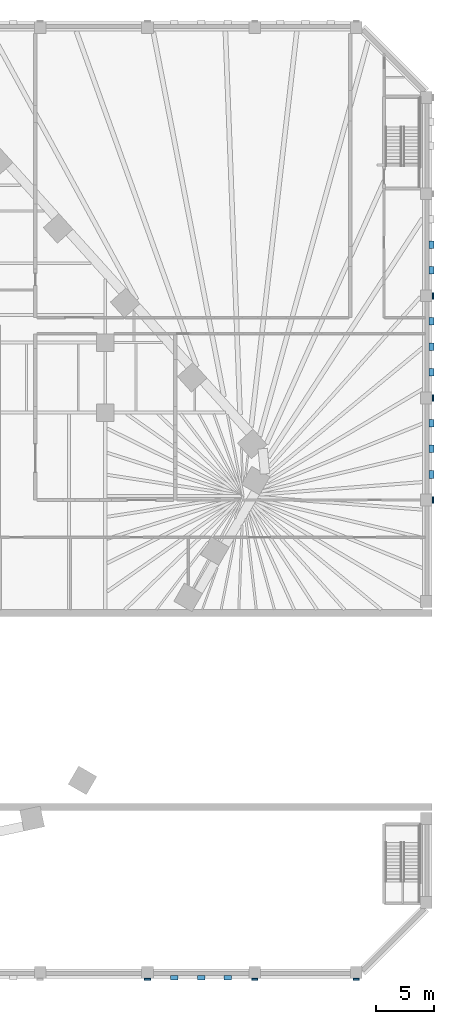
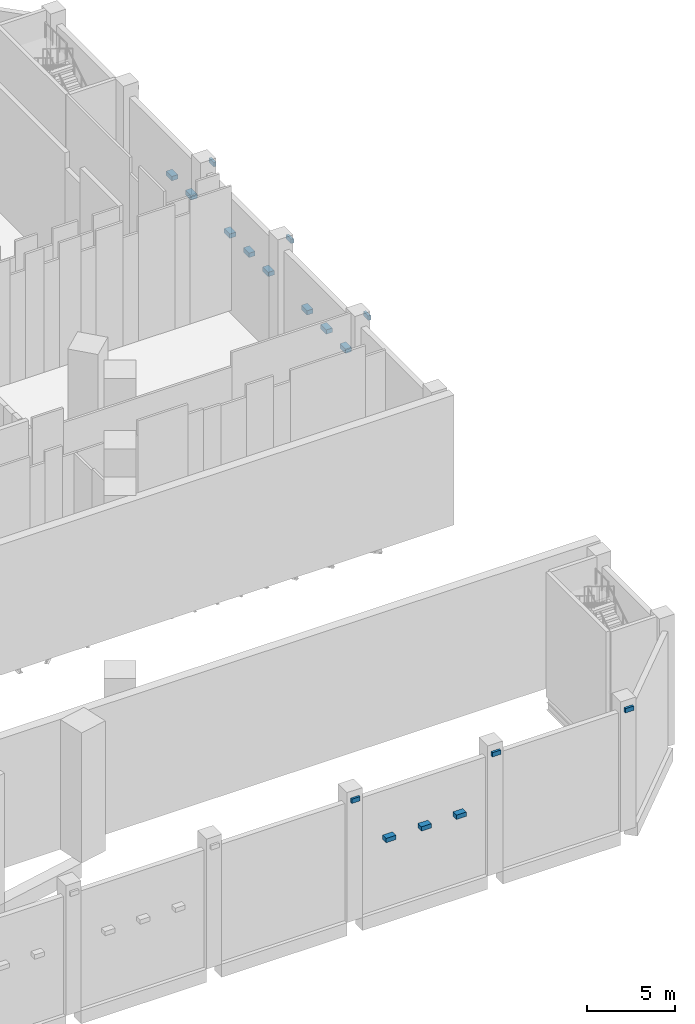
# One storey, part 16 of 23: 17 discrete accessories.
"""IFC4 building model written with IfcOpenShell, lengths in metres."""

import ifcopenshell
import ifcopenshell.guid

model = None  # the IFC model being written
_history = None  # IfcOwnerHistory: only IFC2X3 demands one
_inside = {}  # id of a spatial element -> (the spatial element, [elements in it])
_under = {}  # id of a project, library or spatial element -> (it, [spatial elements below it])
_declared = {}  # id of a project -> (the project, [libraries it declares])
_typed = {}  # id of a type object -> (the type object, [elements of that type])
_made_of = {}  # id of a material, layer set ... -> (it, [elements and type objects made of it])


def new_model(schema):
    """Start an empty IFC model of exactly this schema.

    Asked for "IFC4X3", IfcOpenShell would pick the latest addendum, in which some entities
    have other attributes; the version numbers below select the first issue.
    IFC2X3 requires an IfcOwnerHistory on every rooted entity: one is made here for all.
    """
    global model, _history
    if schema == "IFC4X3":
        model = ifcopenshell.file(schema_version=(4, 3, 0, 0))
    else:
        model = ifcopenshell.file(schema=schema)
    _inside.clear()
    _under.clear()
    _declared.clear()
    _typed.clear()
    _made_of.clear()
    _history = None
    if model.schema == "IFC2X3":
        org = make("IfcOrganization", Name="unknown")
        user = make(
            "IfcPersonAndOrganization",
            ThePerson=make("IfcPerson", FamilyName="unknown"),
            TheOrganization=org,
        )
        app = make(
            "IfcApplication",
            ApplicationDeveloper=org,
            Version="unknown",
            ApplicationFullName="unknown",
            ApplicationIdentifier="unknown",
        )
        _history = make(
            "IfcOwnerHistory",
            OwningUser=user,
            OwningApplication=app,
            ChangeAction="ADDED",
            CreationDate=0,
        )
    return model


def make(cls, **values):
    """One entity of the class cls with the attributes given. An attribute that is None is left unset."""
    return model.create_entity(
        cls, **{name: value for name, value in values.items() if value is not None}
    )


def rooted(cls, **values):
    """An entity with a GlobalId (a new one), such as an element, a storey or a relation."""
    return make(cls, GlobalId=ifcopenshell.guid.new(), OwnerHistory=_history, **values)


def si_unit(unit_type, name, prefix=None):
    """IfcSIUnit, for example si_unit("LENGTHUNIT", "METRE", prefix="MILLI")."""
    return make("IfcSIUnit", UnitType=unit_type, Prefix=prefix, Name=name)


def assignment(units):
    """IfcUnitAssignment: the units of a project."""
    return None if units is None else make("IfcUnitAssignment", Units=units)


def point(xyz):
    """IfcCartesianPoint."""
    return None if xyz is None else make("IfcCartesianPoint", Coordinates=xyz)


def direction(xyz):
    """IfcDirection."""
    return None if xyz is None else make("IfcDirection", DirectionRatios=xyz)


def frame(location, z_axis=None, x_axis=None):
    """IfcAxis2Placement3D, a coordinate frame: its origin and axes. An axis left out is left unset."""
    return make(
        "IfcAxis2Placement3D",
        Location=point(location),
        Axis=direction(z_axis),
        RefDirection=direction(x_axis),
    )


def frame_2d(location, x_axis=None):
    """IfcAxis2Placement2D, a coordinate frame in the plane: its origin and x axis."""
    return make(
        "IfcAxis2Placement2D", Location=point(location), RefDirection=direction(x_axis)
    )


def origin():
    """The frame at (0, 0, 0) with its axes left unset."""
    return frame((0.0, 0.0, 0.0))


def origin_2d():
    """The frame at (0, 0) in the plane with its x axis left unset."""
    return frame_2d((0.0, 0.0))


def place(relative_to, where):
    """IfcLocalPlacement: puts the frame where relative to a parent placement (None: the world)."""
    return make(
        "IfcLocalPlacement", PlacementRelTo=relative_to, RelativePlacement=where
    )


def context(
    kind, dimensions, precision=None, world=None, true_north=None, identifier=None
):
    """IfcGeometricRepresentationContext, for example the 3D "Model" context."""
    return make(
        "IfcGeometricRepresentationContext",
        ContextIdentifier=identifier,
        ContextType=kind,
        CoordinateSpaceDimension=dimensions,
        Precision=precision,
        WorldCoordinateSystem=world,
        TrueNorth=true_north,
    )


def subcontext(parent, identifier, kind, view, scale=None):
    """IfcGeometricRepresentationSubContext, for example "Body" below "Model"."""
    return make(
        "IfcGeometricRepresentationSubContext",
        ContextIdentifier=identifier,
        ContextType=kind,
        ParentContext=parent,
        TargetScale=scale,
        TargetView=view,
    )


def project(units=None, contexts=None):
    """IfcProject with its units and contexts."""
    return rooted(
        "IfcProject",
        Name="project",
        RepresentationContexts=contexts,
        UnitsInContext=assignment(units),
    )


def spatial(cls, under=None, at=None, **own):
    """A site, building, storey or space (cls), placed at a placement, below another one or the project."""
    s = rooted(cls, ObjectPlacement=at, **own)
    if under is not None:
        _under.setdefault(under.id(), (under, []))[1].append(s)
    return s


def profile(cls, at=None, kind="AREA", **sizes):
    """A parametric profile (cls). Its sizes go by their IFC names, for example OverallWidth=200.0."""
    return make(cls, ProfileType=kind, Position=at, **sizes)


def rectangle(**sizes):
    """IfcRectangleProfileDef."""
    return profile("IfcRectangleProfileDef", **sizes)


def extrude(swept, where, along, depth):
    """IfcExtrudedAreaSolid: the profile swept, set in the frame where, extruded along a direction by depth."""
    return make(
        "IfcExtrudedAreaSolid",
        SweptArea=swept,
        Position=where,
        ExtrudedDirection=direction(along),
        Depth=depth,
    )


def shape(context_of_items, identifier, shape_type, items):
    """IfcShapeRepresentation: the items that make up one representation, for example the "Body"."""
    return make(
        "IfcShapeRepresentation",
        ContextOfItems=context_of_items,
        RepresentationIdentifier=identifier,
        RepresentationType=shape_type,
        Items=items,
    )


def material(Name=None, Category=None):
    """IfcMaterial."""
    return make("IfcMaterial", Name=Name, Category=Category)


def made_of(thing, what):
    """Note that an element or type object is made of a material, layer set ...; save() writes the relation."""
    if what is not None:
        _made_of.setdefault(what.id(), (what, []))[1].append(thing)
    return thing


def type_object(cls, material=None, **own):
    """A type object (cls), such as IfcWallType, which elements share."""
    return made_of(rooted(cls, **own), material)


def element(
    cls,
    number,
    at=None,
    inside=None,
    cuts=None,
    type_object=None,
    material=None,
    context=None,
    identifier="Body",
    shape_type=None,
    held_by="IfcProductDefinitionShape",
    body=None,
    shapes=None,
    **own,
):
    """One element of the class cls, such as IfcWall. Its Tag is "e" and its number.

    at: its placement. inside: the storey or other place that contains it. cuts: it is an
    opening in that element (IfcRelVoidsElement). A single representation is given by context,
    identifier, shape_type and body (its items); several are given by shapes. held_by: the class
    of the entity that holds the representations. save() writes the other relations.
    """
    e = rooted(cls, Tag="e%d" % number, ObjectPlacement=at, **own)
    if body is not None:
        shapes = [shape(context, identifier, shape_type, body)]
    if shapes is not None:
        e.Representation = make(held_by, Representations=shapes)
    if inside is not None:
        _inside.setdefault(inside.id(), (inside, []))[1].append(e)
    if cuts is not None:
        rooted(
            "IfcRelVoidsElement", RelatingBuildingElement=cuts, RelatedOpeningElement=e
        )
    if type_object is not None:
        _typed.setdefault(type_object.id(), (type_object, []))[1].append(e)
    return made_of(e, material)


def aggregate(whole, parts):
    """IfcRelAggregates: a whole, such as a stair, and the parts it consists of."""
    return rooted("IfcRelAggregates", RelatingObject=whole, RelatedObjects=parts)


def save(model, path):
    """Write the relations noted so far, then the file.

    IfcRelAggregates (storeys below a building ...), IfcRelContainedInSpatialStructure (elements
    in a storey), IfcRelDefinesByType, IfcRelAssociatesMaterial and IfcRelDeclares: one each for
    every whole, place, type object, material and project.
    """
    for whole, parts in _under.values():
        aggregate(whole, parts)
    for where, things in _inside.values():
        rooted(
            "IfcRelContainedInSpatialStructure",
            RelatedElements=things,
            RelatingStructure=where,
        )
    for kind, things in _typed.values():
        rooted("IfcRelDefinesByType", RelatedObjects=things, RelatingType=kind)
    for what, things in _made_of.values():
        rooted("IfcRelAssociatesMaterial", RelatedObjects=things, RelatingMaterial=what)
    for by, libraries in _declared.values():
        rooted("IfcRelDeclares", RelatingContext=by, RelatedDefinitions=libraries)
    model.write(path)


model = new_model("IFC4")

# Units and contexts
model_context = context("Model", 3, precision=1e-05, world=origin(), true_north=direction((0.0, 1.0)))
body_context = subcontext(model_context, "Body", "Model", "MODEL_VIEW")
ifc_project = project(units=[si_unit("LENGTHUNIT", "METRE"), si_unit("AREAUNIT", "SQUARE_METRE"), si_unit("VOLUMEUNIT", "CUBIC_METRE"), si_unit("PLANEANGLEUNIT", "RADIAN"), si_unit("MASSUNIT", "GRAM", prefix="KILO")], contexts=[model_context])

# Site, building, storey
site_placement = place(None, origin())
site = spatial("IfcSite", under=ifc_project, at=site_placement, CompositionType="ELEMENT")
building_placement = place(site_placement, origin())
building = spatial("IfcBuilding", under=site, at=building_placement, Name="Isthmus Gate Tower", CompositionType="ELEMENT")
storey_placement = place(building_placement, frame((0.0, 0.0, 9.0)))
storey = spatial("IfcBuildingStorey", under=building, at=storey_placement, Name="L01", CompositionType="ELEMENT", Elevation=9.0)

# Discrete accessories
ifc_material_1 = material(Name="Structural steel ASTM A572 Gr 50, white paint system", Category="steel")
discrete_accessory_type_1 = type_object("IfcDiscreteAccessoryType", Name="FIN BRACKET 544 X 150 X 300", PredefinedType="BRACKET", material=ifc_material_1)
for number, where, z_axis, x_axis, name in (
    (1, (27.60009765625, -41.074951171875, 7.85009765625), (0.0, 0.0, 1.0), (0.0, -1.0, 0.0), "FIN BRACKET"),
    (2, (36.800048828125, -41.074951171875, 7.85009765625), (0.0, 0.0, 1.0), (0.0, -1.0, 0.0), "FIN BRACKET"),
    (3, (45.5, -41.074951171875, 7.85009765625), (0.0, 0.0, 1.0), (0.0, -1.0, 0.0), "FIN BRACKET"),
    (4, (52.074951171875, 0.0, 7.85009765625), (0.0, 0.0, 1.0), (1.0, 0.0, 0.0), "FIN BRACKET"),
    (5, (52.074951171875, 8.75, 7.85009765625), (0.0, 0.0, 1.0), (1.0, 0.0, 0.0), "FIN BRACKET"),
    (6, (52.074951171875, 17.5, 7.85009765625), (0.0, 0.0, 1.0), (1.0, 0.0, 0.0), "FIN BRACKET"),
):
    element("IfcDiscreteAccessory", number, at=place(storey_placement, frame(where, z_axis=z_axis, x_axis=x_axis)), inside=storey, type_object=discrete_accessory_type_1, Name=name, PredefinedType="BRACKET", context=body_context, shape_type="SweptSolid", body=[
        extrude(rectangle(XDim=0.14990234375, YDim=0.54443359375, at=origin_2d()), origin(), (0.0, 0.0, 1.0), 0.300048828125),
    ])
ifc_material_2 = material(Name="Structural steel ASTM A572 Gr 50, white paint system", Category="steel")
discrete_accessory_type_2 = type_object("IfcDiscreteAccessoryType", Name="FIN BRACKET 647 X 400 X 300", PredefinedType="BRACKET", material=ifc_material_2)
for number, where, z_axis, x_axis, name in (
    (7, (51.949951171875, 2.1875, 4.35009765625), (0.0, 0.0, 1.0), (1.0, 0.0, 0.0), "FIN BRACKET"),
    (8, (51.949951171875, 4.375, 4.35009765625), (0.0, 0.0, 1.0), (1.0, 0.0, 0.0), "FIN BRACKET"),
    (9, (51.949951171875, 6.5625, 4.35009765625), (0.0, 0.0, 1.0), (1.0, 0.0, 0.0), "FIN BRACKET"),
    (10, (51.949951171875, 10.9375, 4.35009765625), (0.0, 0.0, 1.0), (1.0, 0.0, 0.0), "FIN BRACKET"),
    (11, (51.949951171875, 13.125, 4.35009765625), (0.0, 0.0, 1.0), (1.0, 0.0, 0.0), "FIN BRACKET"),
    (12, (51.949951171875, 15.3125, 4.35009765625), (0.0, 0.0, 1.0), (1.0, 0.0, 0.0), "FIN BRACKET"),
    (13, (51.949951171875, 19.6875, 4.35009765625), (0.0, 0.0, 1.0), (1.0, 0.0, 0.0), "FIN BRACKET"),
    (14, (51.949951171875, 21.875, 4.35009765625), (0.0, 0.0, 1.0), (1.0, 0.0, 0.0), "FIN BRACKET"),
    (15, (29.89990234375, -40.949951171875, 4.35009765625), (0.0, 0.0, 1.0), (0.0, -1.0, 0.0), "FIN BRACKET"),
    (16, (32.199951171875, -40.949951171875, 4.35009765625), (0.0, 0.0, 1.0), (0.0, -1.0, 0.0), "FIN BRACKET"),
    (17, (34.5, -40.949951171875, 4.35009765625), (0.0, 0.0, 1.0), (0.0, -1.0, 0.0), "FIN BRACKET"),
):
    element("IfcDiscreteAccessory", number, at=place(storey_placement, frame(where, z_axis=z_axis, x_axis=x_axis)), inside=storey, type_object=discrete_accessory_type_2, Name=name, PredefinedType="BRACKET", context=body_context, shape_type="SweptSolid", body=[
        extrude(rectangle(XDim=0.39990234375, YDim=0.64697265625, at=origin_2d()), origin(), (0.0, 0.0, 1.0), 0.300048828125),
    ])

save(model, "model.ifc")
